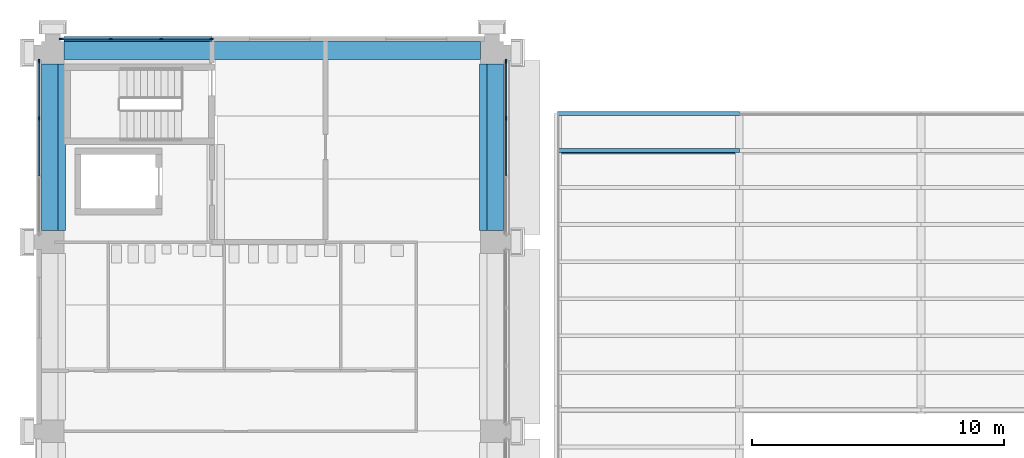
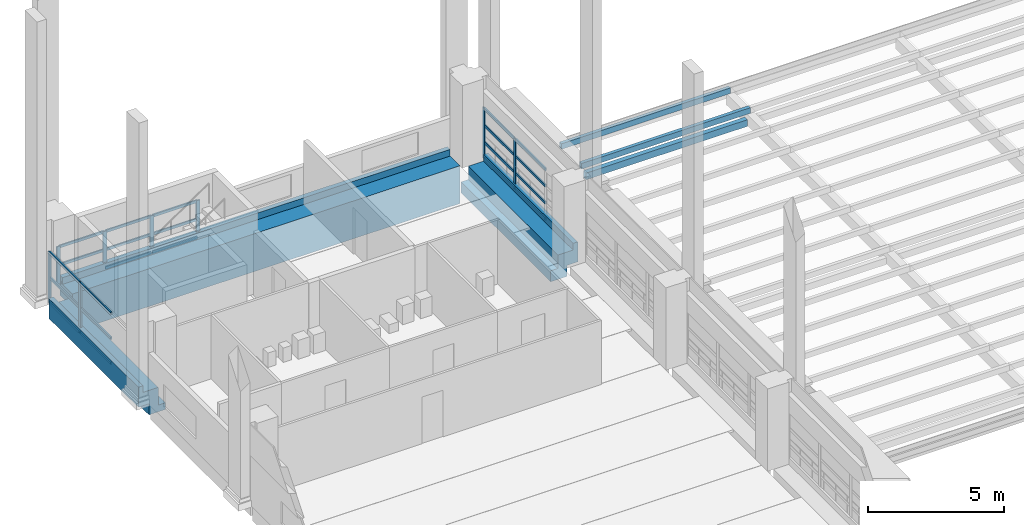
# One storey, part 14 of 67: 33 members, 4 beams, 3 elements without a shape of their own.
"""IFC4 building model written with IfcOpenShell, lengths in metres."""

from ifc_helpers import new_model, si_unit, direction, frame, origin, origin_2d, place, context, subcontext, project, spatial, polyline, rectangle, hollow_rectangle, outline, extrude, material, layer, layer_set, material_profile, profile_set, type_object, element, aggregate, save


model = new_model("IFC4")

# Units and contexts
model_context = context("Model", 3, precision=1e-05, world=origin(), true_north=direction((0.0, 1.0)))
body_context = subcontext(model_context, "Body", "Model", "MODEL_VIEW")
ifc_project = project(units=[si_unit("LENGTHUNIT", "METRE"), si_unit("AREAUNIT", "SQUARE_METRE"), si_unit("VOLUMEUNIT", "CUBIC_METRE"), si_unit("PLANEANGLEUNIT", "RADIAN"), si_unit("MASSUNIT", "GRAM", prefix="KILO")], contexts=[model_context])

# Site, building, storey
site_placement = place(None, origin())
site = spatial("IfcSite", under=ifc_project, at=site_placement, CompositionType="ELEMENT")
building_placement = place(site_placement, origin())
building = spatial("IfcBuilding", under=site, at=building_placement, Name="Cour d'Honneur Mobility Palace", CompositionType="ELEMENT")
storey_placement = place(building_placement, frame((0.0, 0.0, 4.5)))
storey = spatial("IfcBuildingStorey", under=building, at=storey_placement, Name="L01", CompositionType="ELEMENT", Elevation=4.5)

# Members
ifc_material_1 = material(Name="Steel S355", Category="steel")
ifc_material_profile_1 = material_profile(ifc_material_1, hollow_rectangle(XDim=0.14990234375, YDim=0.25, WallThickness=0.010009765625, at=origin_2d()), Name="RHS 250x150x10")
ifc_profile_set_1 = profile_set([ifc_material_profile_1], Name="Steel S355")
member_type_1 = type_object("IfcMemberType", Name="Canopy purlin RHS 250x150x10", PredefinedType="PURLIN", material=ifc_profile_set_1)
for number, where, z_axis, x_axis, name in (
    (1, (20.0, 111.03125, 1.125), (1.0, 0.0, 0.0), (0.0, 1.0, 0.0), "Canopy purlin FCP-W16.1"),
    (2, (20.0, 112.5, 1.125), (1.0, 0.0, 0.0), (0.0, 1.0, 0.0), "Canopy purlin FCP-W17.1"),
):
    element("IfcMember", number, at=place(storey_placement, frame(where, z_axis=z_axis, x_axis=x_axis)), inside=storey, type_object=member_type_1, Name=name, PredefinedType="PURLIN", context=body_context, shape_type="SweptSolid", body=[
        extrude(hollow_rectangle(XDim=0.14990234375, YDim=0.25, WallThickness=0.010009765625, at=origin_2d()), origin(), (0.0, 0.0, 1.0), 7.199951171875),
    ])

# Beam
ifc_material_2 = material(Name="Steel S355", Category="steel")
ifc_material_profile_2 = material_profile(ifc_material_2, hollow_rectangle(XDim=0.199951171875, YDim=0.300048828125, WallThickness=0.012451171875, at=origin_2d()), Name="RHS 300x200x12.5")
ifc_profile_set_2 = profile_set([ifc_material_profile_2], Name="Steel S355")
beam_type_1 = type_object("IfcBeamType", Name="Canopy tie beam RHS 300x200x12.5", PredefinedType="BEAM", material=ifc_profile_set_2)
beam_1_placement = place(storey_placement, frame((20.161865234375, 111.0, 0.64990234375), z_axis=(1.0, 0.0, 0.0), x_axis=(0.0, 1.0, 0.0)))
element("IfcBeam", 3, at=beam_1_placement, inside=storey, type_object=beam_type_1, Name="Canopy tie beam FCT-W3.1", PredefinedType="BEAM", context=body_context, shape_type="SweptSolid", body=[
    extrude(hollow_rectangle(XDim=0.199951171875, YDim=0.300048828125, WallThickness=0.012451171875, at=origin_2d()), origin(), (0.0, 0.0, 1.0), 6.876220703125),
])

# Curtain wall, members
ifc_material_3 = material(Name="Aluminium and glass", Category="aluminium")
ifc_layer = layer(ifc_material_3, 0.10009765625)
ifc_layer_set = layer_set([ifc_layer], Name="Aluminium and glass")
curtain_wall_type = type_object("IfcCurtainWallType", Name="Curtain wall run", PredefinedType="NOTDEFINED", material=ifc_layer_set)
curtain_wall_1_placement = place(storey_placement, origin())
curtain_wall_1 = element("IfcCurtainWall", 4, at=curtain_wall_1_placement, inside=storey, type_object=curtain_wall_type, Name="Curtain wall CW-22", PredefinedType="NOTDEFINED")
ifc_material_4 = material(Name="Aluminium", Category="aluminium")
ifc_material_profile_3 = material_profile(ifc_material_4, rectangle(XDim=0.06005859375, YDim=0.159912109375, at=origin_2d()), Name="Curtain wall mullion")
ifc_profile_set_3 = profile_set([ifc_material_profile_3], Name="Aluminium")
member_type_2 = type_object("IfcMemberType", Name="Curtain wall mullion", PredefinedType="MULLION", material=ifc_profile_set_3)
member_1_placement = place(storey_placement, frame((17.949951171875, 112.300048828125, 0.0), z_axis=(0.0, 0.0, 1.0), x_axis=(-1.0, 0.0, 0.0)))
member_1 = element("IfcMember", 5, at=member_1_placement, type_object=member_type_2, Name="CW-22 mullion 3", PredefinedType="MULLION", context=body_context, shape_type="SweptSolid", body=[
    extrude(rectangle(XDim=0.06005859375, YDim=0.159912109375, at=origin_2d()), origin(), (0.0, 0.0, 1.0), 2.300048828125),
])
member_2_placement = place(storey_placement, frame((17.949951171875, 114.570068359375, 0.0), z_axis=(0.0, 0.0, 1.0), x_axis=(-1.0, 0.0, 0.0)))
member_2 = element("IfcMember", 6, at=member_2_placement, type_object=member_type_2, Name="CW-22 mullion 4", PredefinedType="MULLION", context=body_context, shape_type="SweptSolid", body=[
    extrude(rectangle(XDim=0.06005859375, YDim=0.159912109375, at=origin_2d()), origin(), (0.0, 0.0, 1.0), 2.300048828125),
])

curtain_wall_2_placement = place(storey_placement, origin())
curtain_wall_2 = element("IfcCurtainWall", 7, at=curtain_wall_2_placement, inside=storey, type_object=curtain_wall_type, Name="Curtain wall CW-124", PredefinedType="NOTDEFINED")
member_3_placement = place(storey_placement, frame((6.27001953125, 115.449951171875, 0.0), z_axis=(0.0, 0.0, 1.0), x_axis=(0.0, -1.0, 0.0)))
member_3 = element("IfcMember", 8, at=member_3_placement, type_object=member_type_2, Name="CW-124 mullion 1", PredefinedType="MULLION", context=body_context, shape_type="SweptSolid", body=[
    extrude(rectangle(XDim=0.06005859375, YDim=0.159912109375, at=origin_2d()), origin(), (0.0, 0.0, 1.0), 1.699951171875),
])
member_4_placement = place(storey_placement, frame((4.300048828125, 115.449951171875, 0.0), z_axis=(0.0, 0.0, 1.0), x_axis=(0.0, -1.0, 0.0)))
member_4 = element("IfcMember", 9, at=member_4_placement, type_object=member_type_2, Name="CW-124 mullion 2", PredefinedType="MULLION", context=body_context, shape_type="SweptSolid", body=[
    extrude(rectangle(XDim=0.06005859375, YDim=0.159912109375, at=origin_2d()), origin(), (0.0, 0.0, 1.0), 1.699951171875),
])
member_5_placement = place(storey_placement, frame((2.300048828125, 115.449951171875, 0.0), z_axis=(0.0, 0.0, 1.0), x_axis=(0.0, -1.0, 0.0)))
member_5 = element("IfcMember", 10, at=member_5_placement, type_object=member_type_2, Name="CW-124 mullion 3", PredefinedType="MULLION", context=body_context, shape_type="SweptSolid", body=[
    extrude(rectangle(XDim=0.06005859375, YDim=0.159912109375, at=origin_2d()), origin(), (0.0, 0.0, 1.0), 1.699951171875),
])
member_6_placement = place(storey_placement, frame((0.330078125, 115.449951171875, 0.0), z_axis=(0.0, 0.0, 1.0), x_axis=(0.0, -1.0, 0.0)))
member_6 = element("IfcMember", 11, at=member_6_placement, type_object=member_type_2, Name="CW-124 mullion 4", PredefinedType="MULLION", context=body_context, shape_type="SweptSolid", body=[
    extrude(rectangle(XDim=0.06005859375, YDim=0.159912109375, at=origin_2d()), origin(), (0.0, 0.0, 1.0), 1.699951171875),
])

curtain_wall_3_placement = place(storey_placement, origin())
curtain_wall_3 = element("IfcCurtainWall", 12, at=curtain_wall_3_placement, inside=storey, type_object=curtain_wall_type, Name="Curtain wall CW-125", PredefinedType="NOTDEFINED")
member_7_placement = place(storey_placement, frame((-0.550048828125, 114.570068359375, 0.0), z_axis=(0.0, 0.0, 1.0), x_axis=(1.0, 0.0, 0.0)))
member_7 = element("IfcMember", 13, at=member_7_placement, type_object=member_type_2, Name="CW-125 mullion 1", PredefinedType="MULLION", context=body_context, shape_type="SweptSolid", body=[
    extrude(rectangle(XDim=0.06005859375, YDim=0.159912109375, at=origin_2d()), origin(), (0.0, 0.0, 1.0), 2.300048828125),
])
member_8_placement = place(storey_placement, frame((-0.550048828125, 112.300048828125, 0.0), z_axis=(0.0, 0.0, 1.0), x_axis=(1.0, 0.0, 0.0)))
member_8 = element("IfcMember", 14, at=member_8_placement, type_object=member_type_2, Name="CW-125 mullion 2", PredefinedType="MULLION", context=body_context, shape_type="SweptSolid", body=[
    extrude(rectangle(XDim=0.06005859375, YDim=0.159912109375, at=origin_2d()), origin(), (0.0, 0.0, 1.0), 2.300048828125),
])

# Member
ifc_material_5 = material(Name="Aluminium", Category="aluminium")
ifc_material_profile_4 = material_profile(ifc_material_5, rectangle(XDim=0.06005859375, YDim=0.1201171875, at=origin_2d()), Name="Curtain wall transom")
ifc_profile_set_4 = profile_set([ifc_material_profile_4], Name="Aluminium")
member_type_3 = type_object("IfcMemberType", Name="Curtain wall transom", PredefinedType="USERDEFINED", material=ifc_profile_set_4)
member_9_placement = place(storey_placement, frame((17.949951171875, 110.030029296875, 0.030029296875), z_axis=(0.0, 1.0, 0.0), x_axis=(-1.0, 0.0, 0.0)))
member_9 = element("IfcMember", 15, at=member_9_placement, type_object=member_type_3, Name="CW-22 transom 2.1", ObjectType="TRANSOM", PredefinedType="USERDEFINED", context=body_context, shape_type="SweptSolid", body=[
    extrude(rectangle(XDim=0.06005859375, YDim=0.1201171875, at=origin_2d()), origin(), (0.0, 0.0, 1.0), 2.239990234375),
])

member_10_placement = place(storey_placement, frame((17.949951171875, 110.030029296875, 0.7666015625), z_axis=(0.0, 1.0, 0.0), x_axis=(-1.0, 0.0, 0.0)))
member_10 = element("IfcMember", 16, at=member_10_placement, type_object=member_type_3, Name="CW-22 transom 2.2", ObjectType="TRANSOM", PredefinedType="USERDEFINED", context=body_context, shape_type="SweptSolid", body=[
    extrude(rectangle(XDim=0.06005859375, YDim=0.1201171875, at=origin_2d()), origin(), (0.0, 0.0, 1.0), 2.239990234375),
])

member_11_placement = place(storey_placement, frame((17.949951171875, 110.030029296875, 1.533447265625), z_axis=(0.0, 1.0, 0.0), x_axis=(-1.0, 0.0, 0.0)))
member_11 = element("IfcMember", 17, at=member_11_placement, type_object=member_type_3, Name="CW-22 transom 2.3", ObjectType="TRANSOM", PredefinedType="USERDEFINED", context=body_context, shape_type="SweptSolid", body=[
    extrude(rectangle(XDim=0.06005859375, YDim=0.1201171875, at=origin_2d()), origin(), (0.0, 0.0, 1.0), 2.239990234375),
])

member_12_placement = place(storey_placement, frame((17.949951171875, 110.030029296875, 2.27001953125), z_axis=(0.0, 1.0, 0.0), x_axis=(-1.0, 0.0, 0.0)))
member_12 = element("IfcMember", 18, at=member_12_placement, type_object=member_type_3, Name="CW-22 transom 2.4", ObjectType="TRANSOM", PredefinedType="USERDEFINED", context=body_context, shape_type="SweptSolid", body=[
    extrude(rectangle(XDim=0.06005859375, YDim=0.1201171875, at=origin_2d()), origin(), (0.0, 0.0, 1.0), 2.239990234375),
])

member_13_placement = place(storey_placement, frame((17.949951171875, 112.330078125, 0.030029296875), z_axis=(0.0, 1.0, 0.0), x_axis=(-1.0, 0.0, 0.0)))
member_13 = element("IfcMember", 19, at=member_13_placement, type_object=member_type_3, Name="CW-22 transom 3.1", ObjectType="TRANSOM", PredefinedType="USERDEFINED", context=body_context, shape_type="SweptSolid", body=[
    extrude(rectangle(XDim=0.06005859375, YDim=0.1201171875, at=origin_2d()), origin(), (0.0, 0.0, 1.0), 2.2099609375),
])

member_14_placement = place(storey_placement, frame((17.949951171875, 112.330078125, 0.7666015625), z_axis=(0.0, 1.0, 0.0), x_axis=(-1.0, 0.0, 0.0)))
member_14 = element("IfcMember", 20, at=member_14_placement, type_object=member_type_3, Name="CW-22 transom 3.2", ObjectType="TRANSOM", PredefinedType="USERDEFINED", context=body_context, shape_type="SweptSolid", body=[
    extrude(rectangle(XDim=0.06005859375, YDim=0.1201171875, at=origin_2d()), origin(), (0.0, 0.0, 1.0), 2.2099609375),
])

member_15_placement = place(storey_placement, frame((17.949951171875, 112.330078125, 1.533447265625), z_axis=(0.0, 1.0, 0.0), x_axis=(-1.0, 0.0, 0.0)))
member_15 = element("IfcMember", 21, at=member_15_placement, type_object=member_type_3, Name="CW-22 transom 3.3", ObjectType="TRANSOM", PredefinedType="USERDEFINED", context=body_context, shape_type="SweptSolid", body=[
    extrude(rectangle(XDim=0.06005859375, YDim=0.1201171875, at=origin_2d()), origin(), (0.0, 0.0, 1.0), 2.2099609375),
])

member_16_placement = place(storey_placement, frame((17.949951171875, 112.330078125, 2.27001953125), z_axis=(0.0, 1.0, 0.0), x_axis=(-1.0, 0.0, 0.0)))
member_16 = element("IfcMember", 22, at=member_16_placement, type_object=member_type_3, Name="CW-22 transom 3.4", ObjectType="TRANSOM", PredefinedType="USERDEFINED", context=body_context, shape_type="SweptSolid", body=[
    extrude(rectangle(XDim=0.06005859375, YDim=0.1201171875, at=origin_2d()), origin(), (0.0, 0.0, 1.0), 2.2099609375),
])

aggregate(curtain_wall_1, [member_1, member_2, member_9, member_10, member_11, member_12, member_13, member_14, member_15, member_16])

member_17_placement = place(storey_placement, frame((6.239990234375, 115.449951171875, 0.030029296875), z_axis=(-1.0, 0.0, 0.0), x_axis=(0.0, -1.0, 0.0)))
member_17 = element("IfcMember", 23, at=member_17_placement, type_object=member_type_3, Name="CW-124 transom 1.1", ObjectType="TRANSOM", PredefinedType="USERDEFINED", context=body_context, shape_type="SweptSolid", body=[
    extrude(rectangle(XDim=0.06005859375, YDim=0.1201171875, at=origin_2d()), origin(), (0.0, 0.0, 1.0), 1.909912109375),
])

member_18_placement = place(storey_placement, frame((6.239990234375, 115.449951171875, 0.85009765625), z_axis=(-1.0, 0.0, 0.0), x_axis=(0.0, -1.0, 0.0)))
member_18 = element("IfcMember", 24, at=member_18_placement, type_object=member_type_3, Name="CW-124 transom 1.2", ObjectType="TRANSOM", PredefinedType="USERDEFINED", context=body_context, shape_type="SweptSolid", body=[
    extrude(rectangle(XDim=0.06005859375, YDim=0.1201171875, at=origin_2d()), origin(), (0.0, 0.0, 1.0), 1.909912109375),
])

member_19_placement = place(storey_placement, frame((6.239990234375, 115.449951171875, 1.669921875), z_axis=(-1.0, 0.0, 0.0), x_axis=(0.0, -1.0, 0.0)))
member_19 = element("IfcMember", 25, at=member_19_placement, type_object=member_type_3, Name="CW-124 transom 1.3", ObjectType="TRANSOM", PredefinedType="USERDEFINED", context=body_context, shape_type="SweptSolid", body=[
    extrude(rectangle(XDim=0.06005859375, YDim=0.1201171875, at=origin_2d()), origin(), (0.0, 0.0, 1.0), 1.909912109375),
])

member_20_placement = place(storey_placement, frame((4.27001953125, 115.449951171875, 0.030029296875), z_axis=(-1.0, 0.0, 0.0), x_axis=(0.0, -1.0, 0.0)))
member_20 = element("IfcMember", 26, at=member_20_placement, type_object=member_type_3, Name="CW-124 transom 2.1", ObjectType="TRANSOM", PredefinedType="USERDEFINED", context=body_context, shape_type="SweptSolid", body=[
    extrude(rectangle(XDim=0.06005859375, YDim=0.1201171875, at=origin_2d()), origin(), (0.0, 0.0, 1.0), 1.93994140625),
])

member_21_placement = place(storey_placement, frame((4.27001953125, 115.449951171875, 0.85009765625), z_axis=(-1.0, 0.0, 0.0), x_axis=(0.0, -1.0, 0.0)))
member_21 = element("IfcMember", 27, at=member_21_placement, type_object=member_type_3, Name="CW-124 transom 2.2", ObjectType="TRANSOM", PredefinedType="USERDEFINED", context=body_context, shape_type="SweptSolid", body=[
    extrude(rectangle(XDim=0.06005859375, YDim=0.1201171875, at=origin_2d()), origin(), (0.0, 0.0, 1.0), 1.93994140625),
])

member_22_placement = place(storey_placement, frame((4.27001953125, 115.449951171875, 1.669921875), z_axis=(-1.0, 0.0, 0.0), x_axis=(0.0, -1.0, 0.0)))
member_22 = element("IfcMember", 28, at=member_22_placement, type_object=member_type_3, Name="CW-124 transom 2.3", ObjectType="TRANSOM", PredefinedType="USERDEFINED", context=body_context, shape_type="SweptSolid", body=[
    extrude(rectangle(XDim=0.06005859375, YDim=0.1201171875, at=origin_2d()), origin(), (0.0, 0.0, 1.0), 1.93994140625),
])

member_23_placement = place(storey_placement, frame((2.27001953125, 115.449951171875, 0.030029296875), z_axis=(-1.0, 0.0, 0.0), x_axis=(0.0, -1.0, 0.0)))
member_23 = element("IfcMember", 29, at=member_23_placement, type_object=member_type_3, Name="CW-124 transom 3.1", ObjectType="TRANSOM", PredefinedType="USERDEFINED", context=body_context, shape_type="SweptSolid", body=[
    extrude(rectangle(XDim=0.06005859375, YDim=0.1201171875, at=origin_2d()), origin(), (0.0, 0.0, 1.0), 1.909912109375),
])

member_24_placement = place(storey_placement, frame((2.27001953125, 115.449951171875, 0.85009765625), z_axis=(-1.0, 0.0, 0.0), x_axis=(0.0, -1.0, 0.0)))
member_24 = element("IfcMember", 30, at=member_24_placement, type_object=member_type_3, Name="CW-124 transom 3.2", ObjectType="TRANSOM", PredefinedType="USERDEFINED", context=body_context, shape_type="SweptSolid", body=[
    extrude(rectangle(XDim=0.06005859375, YDim=0.1201171875, at=origin_2d()), origin(), (0.0, 0.0, 1.0), 1.909912109375),
])

member_25_placement = place(storey_placement, frame((2.27001953125, 115.449951171875, 1.669921875), z_axis=(-1.0, 0.0, 0.0), x_axis=(0.0, -1.0, 0.0)))
member_25 = element("IfcMember", 31, at=member_25_placement, type_object=member_type_3, Name="CW-124 transom 3.3", ObjectType="TRANSOM", PredefinedType="USERDEFINED", context=body_context, shape_type="SweptSolid", body=[
    extrude(rectangle(XDim=0.06005859375, YDim=0.1201171875, at=origin_2d()), origin(), (0.0, 0.0, 1.0), 1.909912109375),
])

aggregate(curtain_wall_2, [member_3, member_4, member_5, member_6, member_17, member_18, member_19, member_20, member_21, member_22, member_23, member_24, member_25])

member_26_placement = place(storey_placement, frame((-0.550048828125, 114.5400390625, 0.030029296875), z_axis=(0.0, -1.0, 0.0), x_axis=(1.0, 0.0, 0.0)))
member_26 = element("IfcMember", 32, at=member_26_placement, type_object=member_type_3, Name="CW-125 transom 1.1", ObjectType="TRANSOM", PredefinedType="USERDEFINED", context=body_context, shape_type="SweptSolid", body=[
    extrude(rectangle(XDim=0.06005859375, YDim=0.1201171875, at=origin_2d()), origin(), (0.0, 0.0, 1.0), 2.2099609375),
])

member_27_placement = place(storey_placement, frame((-0.550048828125, 114.5400390625, 1.14990234375), z_axis=(0.0, -1.0, 0.0), x_axis=(1.0, 0.0, 0.0)))
member_27 = element("IfcMember", 33, at=member_27_placement, type_object=member_type_3, Name="CW-125 transom 1.2", ObjectType="TRANSOM", PredefinedType="USERDEFINED", context=body_context, shape_type="SweptSolid", body=[
    extrude(rectangle(XDim=0.06005859375, YDim=0.1201171875, at=origin_2d()), origin(), (0.0, 0.0, 1.0), 2.2099609375),
])

member_28_placement = place(storey_placement, frame((-0.550048828125, 114.5400390625, 2.27001953125), z_axis=(0.0, -1.0, 0.0), x_axis=(1.0, 0.0, 0.0)))
member_28 = element("IfcMember", 34, at=member_28_placement, type_object=member_type_3, Name="CW-125 transom 1.3", ObjectType="TRANSOM", PredefinedType="USERDEFINED", context=body_context, shape_type="SweptSolid", body=[
    extrude(rectangle(XDim=0.06005859375, YDim=0.1201171875, at=origin_2d()), origin(), (0.0, 0.0, 1.0), 2.2099609375),
])

member_29_placement = place(storey_placement, frame((-0.550048828125, 112.27001953125, 0.030029296875), z_axis=(0.0, -1.0, 0.0), x_axis=(1.0, 0.0, 0.0)))
member_29 = element("IfcMember", 35, at=member_29_placement, type_object=member_type_3, Name="CW-125 transom 2.1", ObjectType="TRANSOM", PredefinedType="USERDEFINED", context=body_context, shape_type="SweptSolid", body=[
    extrude(rectangle(XDim=0.06005859375, YDim=0.1201171875, at=origin_2d()), origin(), (0.0, 0.0, 1.0), 2.239990234375),
])

member_30_placement = place(storey_placement, frame((-0.550048828125, 112.27001953125, 1.14990234375), z_axis=(0.0, -1.0, 0.0), x_axis=(1.0, 0.0, 0.0)))
member_30 = element("IfcMember", 36, at=member_30_placement, type_object=member_type_3, Name="CW-125 transom 2.2", ObjectType="TRANSOM", PredefinedType="USERDEFINED", context=body_context, shape_type="SweptSolid", body=[
    extrude(rectangle(XDim=0.06005859375, YDim=0.1201171875, at=origin_2d()), origin(), (0.0, 0.0, 1.0), 2.239990234375),
])

member_31_placement = place(storey_placement, frame((-0.550048828125, 112.27001953125, 2.27001953125), z_axis=(0.0, -1.0, 0.0), x_axis=(1.0, 0.0, 0.0)))
member_31 = element("IfcMember", 37, at=member_31_placement, type_object=member_type_3, Name="CW-125 transom 2.3", ObjectType="TRANSOM", PredefinedType="USERDEFINED", context=body_context, shape_type="SweptSolid", body=[
    extrude(rectangle(XDim=0.06005859375, YDim=0.1201171875, at=origin_2d()), origin(), (0.0, 0.0, 1.0), 2.239990234375),
])

aggregate(curtain_wall_3, [member_7, member_8, member_26, member_27, member_28, member_29, member_30, member_31])

# Beams
ifc_material_6 = material(Name="Concrete C45", Category="concrete")
ifc_material_profile_5 = material_profile(ifc_material_6, outline(polyline([(0.27490234375, -1.699951171875), (0.27490234375, -0.60009765625), (0.64990234375, -0.60009765625), (0.64990234375, 0.300048828125), (0.449951171875, 0.300048828125), (0.449951171875, 0.0), (0.27490234375, 0.0), (-0.27490234375, 0.0), (-0.27490234375, -1.699951171875), (0.27490234375, -1.699951171875)])), Name="Edge Spandrel Beam 550x1700 no ledge facade left")
ifc_profile_set_5 = profile_set([ifc_material_profile_5], Name="Concrete C45")
beam_type_2 = type_object("IfcBeamType", Name="Edge Spandrel Beam 550x1700 no ledge facade left", PredefinedType="SPANDREL", material=ifc_profile_set_5)
beam_2_placement = place(storey_placement, frame((0.449951171875, 114.89990234375, 0.0), z_axis=(1.0, 0.0, 0.0), x_axis=(0.0, 1.0, 0.0)))
element("IfcBeam", 38, at=beam_2_placement, inside=storey, type_object=beam_type_2, Name="Precast beam B7 1-2 L01", PredefinedType="SPANDREL", context=body_context, shape_type="SweptSolid", body=[
    extrude(outline(polyline([(0.27490234375, -1.699951171875), (0.27490234375, -0.60009765625), (0.64990234375, -0.60009765625), (0.64990234375, 0.300048828125), (0.449951171875, 0.300048828125), (0.449951171875, 0.0), (0.27490234375, 0.0), (-0.27490234375, 0.0), (-0.27490234375, -1.699951171875), (0.27490234375, -1.699951171875)])), origin(), (0.0, 0.0, 1.0), 16.5),
])
ifc_material_7 = material(Name="Concrete C45", Category="concrete")
ifc_material_profile_6 = material_profile(ifc_material_7, outline(polyline([(0.5, -1.10009765625), (0.5, -0.60009765625), (0.199951171875, -0.60009765625), (0.199951171875, 0.0), (-0.199951171875, 0.0), (-0.449951171875, 0.0), (-0.449951171875, 0.300048828125), (-0.64990234375, 0.300048828125), (-0.64990234375, -0.60009765625), (-0.199951171875, -0.60009765625), (-0.199951171875, -1.10009765625), (0.5, -1.10009765625)])), Name="Ledger Beam 400x1100 ledge left 500 facade right")
ifc_profile_set_6 = profile_set([ifc_material_profile_6], Name="Concrete C45")
beam_type_3 = type_object("IfcBeamType", Name="Ledger Beam 400x1100 ledge left 500 facade right", PredefinedType="BEAM", material=ifc_profile_set_6)
beam_3_placement = place(storey_placement, frame((17.39990234375, 107.85009765625, 0.0), z_axis=(0.0, 1.0, 0.0), x_axis=(-1.0, 0.0, 0.0)))
element("IfcBeam", 39, at=beam_3_placement, inside=storey, type_object=beam_type_3, Name="Precast beam B14 P-Q L01", PredefinedType="BEAM", context=body_context, shape_type="SweptSolid", body=[
    extrude(outline(polyline([(0.5, -1.10009765625), (0.5, -0.60009765625), (0.199951171875, -0.60009765625), (0.199951171875, 0.0), (-0.199951171875, 0.0), (-0.449951171875, 0.0), (-0.449951171875, 0.300048828125), (-0.64990234375, 0.300048828125), (-0.64990234375, -0.60009765625), (-0.199951171875, -0.60009765625), (-0.199951171875, -1.10009765625), (0.5, -1.10009765625)])), origin(), (0.0, 0.0, 1.0), 6.599853515625),
])
ifc_material_8 = material(Name="Concrete C45", Category="concrete")
ifc_material_profile_7 = material_profile(ifc_material_8, outline(polyline([(0.199951171875, -1.10009765625), (0.199951171875, -0.60009765625), (0.64990234375, -0.60009765625), (0.64990234375, 0.300048828125), (0.449951171875, 0.300048828125), (0.449951171875, 0.0), (0.199951171875, 0.0), (-0.199951171875, 0.0), (-0.199951171875, -0.800048828125), (-0.5, -0.800048828125), (-0.5, -1.10009765625), (0.199951171875, -1.10009765625)])), Name="Ledger Beam 400x1100 ledge right 300 facade left")
ifc_profile_set_7 = profile_set([ifc_material_profile_7], Name="Concrete C45")
beam_type_4 = type_object("IfcBeamType", Name="Ledger Beam 400x1100 ledge right 300 facade left", PredefinedType="BEAM", material=ifc_profile_set_7)
beam_4_placement = place(storey_placement, frame((0.0, 107.85009765625, 0.0), z_axis=(0.0, 1.0, 0.0), x_axis=(-1.0, 0.0, 0.0)))
element("IfcBeam", 40, at=beam_4_placement, inside=storey, type_object=beam_type_4, Name="Precast beam B6 P-Q L01", PredefinedType="BEAM", context=body_context, shape_type="SweptSolid", body=[
    extrude(outline(polyline([(0.199951171875, -1.10009765625), (0.199951171875, -0.60009765625), (0.64990234375, -0.60009765625), (0.64990234375, 0.300048828125), (0.449951171875, 0.300048828125), (0.449951171875, 0.0), (0.199951171875, 0.0), (-0.199951171875, 0.0), (-0.199951171875, -0.800048828125), (-0.5, -0.800048828125), (-0.5, -1.10009765625), (0.199951171875, -1.10009765625)])), origin(), (0.0, 0.0, 1.0), 6.599853515625),
])

save(model, "model.ifc")
